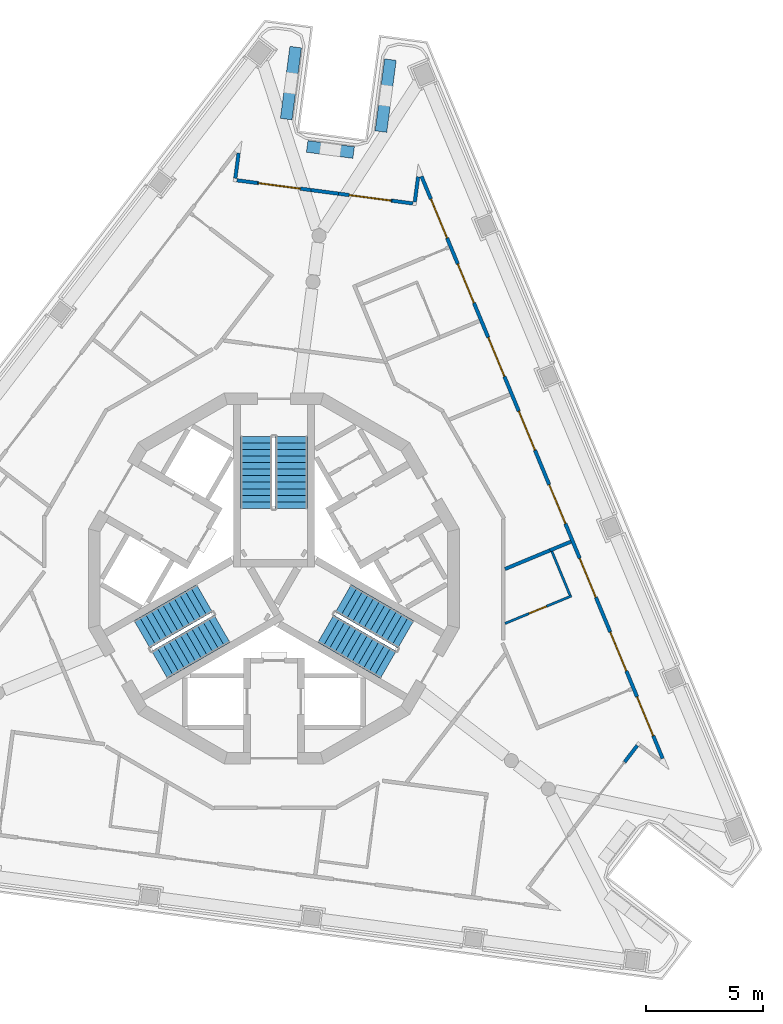
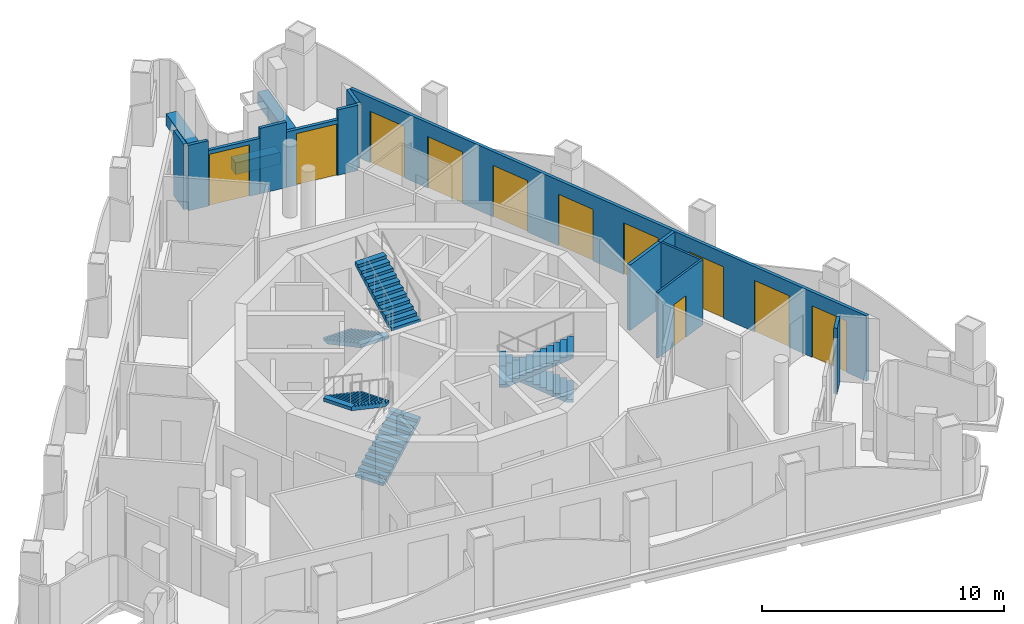
# One storey, part 6 of 12: 16 walls, 11 doors, 6 stair flights, 11 openings, 3 elements without a shape of their own.
"""IFC4 building model written with IfcOpenShell, lengths in metres."""

from ifc_helpers import new_model, si_unit, direction, frame, frame_2d, origin, place, context, subcontext, project, spatial, polyline, rectangle, outline, extrude, material, layer, layer_set, type_object, element, fill, aggregate, save


model = new_model("IFC4")

# Units and contexts
model_context = context("Model", 3, precision=1e-05, world=origin(), true_north=direction((0.0, 1.0)))
body_context = subcontext(model_context, "Body", "Model", "MODEL_VIEW")
ifc_project = project(units=[si_unit("LENGTHUNIT", "METRE"), si_unit("AREAUNIT", "SQUARE_METRE"), si_unit("VOLUMEUNIT", "CUBIC_METRE"), si_unit("PLANEANGLEUNIT", "RADIAN"), si_unit("MASSUNIT", "GRAM", prefix="KILO")], contexts=[model_context])

# Site, building, storey
site_placement = place(None, origin())
site = spatial("IfcSite", under=ifc_project, at=site_placement, CompositionType="ELEMENT")
building_placement = place(site_placement, origin())
building = spatial("IfcBuilding", under=site, at=building_placement, Name="Trine Commons Tower", CompositionType="ELEMENT")
storey_placement = place(building_placement, frame((0.0, 0.0, 293.39990234375)))
storey = spatial("IfcBuildingStorey", under=building, at=storey_placement, Name="L77", CompositionType="ELEMENT", Elevation=293.39990234375)

# Walls
ifc_material_1 = material(Name="Aluminium-framed insulated wall panel", Category="aluminium")
ifc_layer_1 = layer(ifc_material_1, 0.14990234375)
ifc_layer_set_1 = layer_set([ifc_layer_1], Name="Aluminium-framed insulated wall panel")
wall_type_1 = type_object("IfcWallType", Name="Glazed frame wall 150, EI 60", PredefinedType="SOLIDWALL", material=ifc_layer_set_1)
wall_1_placement = place(storey_placement, frame((78.51220703125, 80.81005859375, 0.0), z_axis=(0.0, 0.0, 1.0), x_axis=(-0.130510858064, -0.991446880033, 0.0)))
element("IfcWall", 1, at=wall_1_placement, inside=storey, type_object=wall_type_1, Name="Glazed frame wall R2", PredefinedType="SOLIDWALL", context=body_context, shape_type="SweptSolid", body=[
    extrude(outline(polyline([(0.1494140625, 0.074951171875), (0.1494140625, -0.074951171875), (1.235107421875, -0.074951171875), (1.235107421875, 0.074951171875), (0.1494140625, 0.074951171875)])), origin(), (0.0, 0.0, 1.0), 3.300048828125),
])
wall_2_placement = place(storey_placement, frame((78.306396484375, 79.515869140625, 0.0), z_axis=(0.0, 0.0, 1.0), x_axis=(0.991437672373, -0.130580786489, 0.0)))
element("IfcWall", 2, at=wall_2_placement, inside=storey, type_object=wall_type_1, Name="Glazed frame wall P1.1", PredefinedType="SOLIDWALL", context=body_context, shape_type="SweptSolid", body=[
    extrude(outline(polyline([(0.110107421875, -0.074951171875), (1.0, -0.074951171875), (1.0, 0.074951171875), (0.110107421875, 0.074951171875), (0.110107421875, -0.074951171875)])), origin(), (0.0, 0.0, 1.0), 3.300048828125),
])

# Wall, opening, door
wall_3_placement = place(storey_placement, frame((79.298095703125, 79.38525390625, 0.0), z_axis=(0.0, 0.0, 1.0), x_axis=(0.991435223914, -0.130599375121, 0.0)))
wall_3 = element("IfcWall", 3, at=wall_3_placement, inside=storey, type_object=wall_type_1, Name="Glazed frame wall P1.2", PredefinedType="SOLIDWALL", context=body_context, shape_type="SweptSolid", body=[
    extrude(outline(polyline([(0.0, -0.074951171875), (2.310791015625, -0.074951171875), (2.310791015625, 0.074951171875), (0.0, 0.074951171875), (0.0, -0.074951171875)])), origin(), (0.0, 0.0, 1.0), 2.800048828125),
])
opening_1_placement = place(wall_3_placement, frame((0.050048828125, 0.0, 0.0)))
opening_1 = element("IfcOpeningElement", 4, at=opening_1_placement, cuts=wall_3, Name="Opening BD-8P1-01", PredefinedType="OPENING", context=body_context, shape_type="SweptSolid", body=[
    extrude(rectangle(XDim=1.800048828125, YDim=2.60009765625, at=frame_2d((0.89990234375, 1.300048828125))), frame((0.0, 0.0849609375, 0.0), z_axis=(0.0, -1.0, 0.0), x_axis=(1.0, 0.0, 0.0)), (0.0, 0.0, 1.0), 0.169921875),
])
ifc_material_2 = material(Name="Anodised aluminium frame with double glazing", Category="aluminium")
door_type_1 = type_object("IfcDoorType", Name="Sliding loggia door 1800x2600", OperationType="SLIDING_TO_LEFT", PredefinedType="DOOR", material=ifc_material_2)
door_1_placement = place(opening_1_placement, origin())
door_1 = element("IfcDoor", 5, at=door_1_placement, inside=storey, type_object=door_type_1, Name="Loggia door P1 1", OperationType="SLIDING_TO_LEFT", OverallHeight=2.60009765625, OverallWidth=1.800048828125, PredefinedType="DOOR", context=body_context, shape_type="SweptSolid", body=[
    extrude(rectangle(XDim=1.800048828125, YDim=2.60009765625, at=frame_2d((0.89990234375, 1.300048828125))), frame((0.0, 0.02490234375, 0.0), z_axis=(0.0, -1.0, 0.0), x_axis=(1.0, 0.0, 0.0)), (0.0, 0.0, 1.0), 0.050048828125),
])
fill(opening_1, door_1)

# Wall
wall_4_placement = place(storey_placement, frame((81.5888671875, 79.08349609375, 0.0), z_axis=(0.0, 0.0, 1.0), x_axis=(0.991447243185, -0.130508099291, 0.0)))
element("IfcWall", 6, at=wall_4_placement, inside=storey, type_object=wall_type_1, Name="Glazed frame wall P1.3", PredefinedType="SOLIDWALL", context=body_context, shape_type="SweptSolid", body=[
    extrude(outline(polyline([(0.0, -0.074951171875), (1.1787109375, -0.074951171875), (1.1787109375, 0.074951171875), (0.0, 0.074951171875), (0.0, -0.074951171875)])), origin(), (0.0, 0.0, 1.0), 3.300048828125),
])

# Wall, opening, door
wall_5_placement = place(storey_placement, frame((82.75732421875, 78.9296875, 0.0), z_axis=(0.0, 0.0, 1.0), x_axis=(0.991450699069, -0.130481842855, 0.0)))
wall_5 = element("IfcWall", 7, at=wall_5_placement, inside=storey, type_object=wall_type_1, Name="Glazed frame wall P1.4", PredefinedType="SOLIDWALL", context=body_context, shape_type="SweptSolid", body=[
    extrude(outline(polyline([(0.0, -0.074951171875), (2.310791015625, -0.074951171875), (2.310791015625, 0.074951171875), (0.0, 0.074951171875), (0.0, -0.074951171875)])), origin(), (0.0, 0.0, 1.0), 2.800048828125),
])
opening_2_placement = place(wall_5_placement, frame((0.460693359375, 0.0, 0.0)))
opening_2 = element("IfcOpeningElement", 8, at=opening_2_placement, cuts=wall_5, Name="Opening BD-8P1-02", PredefinedType="OPENING", context=body_context, shape_type="SweptSolid", body=[
    extrude(rectangle(XDim=1.800048828125, YDim=2.60009765625, at=frame_2d((0.89990234375, 1.300048828125))), frame((0.0, 0.0849609375, 0.0), z_axis=(0.0, -1.0, 0.0), x_axis=(1.0, 0.0, 0.0)), (0.0, 0.0, 1.0), 0.169921875),
])
door_2_placement = place(opening_2_placement, origin())
door_2 = element("IfcDoor", 9, at=door_2_placement, inside=storey, type_object=door_type_1, Name="Loggia door P1 2", OperationType="SLIDING_TO_LEFT", OverallHeight=2.60009765625, OverallWidth=1.800048828125, PredefinedType="DOOR", context=body_context, shape_type="SweptSolid", body=[
    extrude(rectangle(XDim=1.800048828125, YDim=2.60009765625, at=frame_2d((0.89990234375, 1.300048828125))), frame((0.0, 0.02490234375, 0.0), z_axis=(0.0, -1.0, 0.0), x_axis=(1.0, 0.0, 0.0)), (0.0, 0.0, 1.0), 0.050048828125),
])
fill(opening_2, door_2)

# Walls
wall_6_placement = place(storey_placement, frame((85.04833984375, 78.628173828125, 0.0), z_axis=(0.0, 0.0, 1.0), x_axis=(0.991465094935, -0.130372410907, 0.0)))
element("IfcWall", 10, at=wall_6_placement, inside=storey, type_object=wall_type_1, Name="Glazed frame wall P1.5", PredefinedType="SOLIDWALL", context=body_context, shape_type="SweptSolid", body=[
    extrude(outline(polyline([(0.889892578125, 0.074951171875), (0.0, 0.074951171875), (0.0, -0.074951171875), (0.889892578125, -0.074951171875), (0.889892578125, 0.074951171875)])), origin(), (0.0, 0.0, 1.0), 3.300048828125),
])
wall_7_placement = place(storey_placement, frame((86.00048828125, 78.467529296875, 0.0), z_axis=(0.0, 0.0, 1.0), x_axis=(0.130510858064, 0.991446880033, 0.0)))
element("IfcWall", 11, at=wall_7_placement, inside=storey, type_object=wall_type_1, Name="Glazed frame wall R4", PredefinedType="SOLIDWALL", context=body_context, shape_type="SweptSolid", body=[
    extrude(outline(polyline([(0.110107421875, 0.074951171875), (0.110107421875, -0.074951171875), (1.19580078125, -0.074951171875), (1.19580078125, 0.074951171875), (0.110107421875, 0.074951171875)])), origin(), (0.0, 0.0, 1.0), 3.300048828125),
])

# Wall, openings, doors
wall_8_placement = place(storey_placement, frame((86.2431640625, 79.809814453125, 0.0), z_axis=(0.0, 0.0, 1.0), x_axis=(0.382683868189, -0.923879351987, 0.0)))
wall_8 = element("IfcWall", 12, at=wall_8_placement, inside=storey, type_object=wall_type_1, Name="Glazed frame wall F2", PredefinedType="SOLIDWALL", context=body_context, shape_type="SweptSolid", body=[
    extrude(outline(polyline([(0.1494140625, 0.074951171875), (0.1494140625, -0.074951171875), (27.056884765625, -0.074951171875), (27.056884765625, 0.074951171875), (0.1494140625, 0.074951171875)])), origin(), (0.0, 0.0, 1.0), 3.300048828125),
])
opening_3_placement = place(wall_8_placement, frame((1.200439453125, 0.0, 0.0)))
opening_3 = element("IfcOpeningElement", 13, at=opening_3_placement, cuts=wall_8, Name="Opening BD-8F2-01", PredefinedType="OPENING", context=body_context, shape_type="SweptSolid", body=[
    extrude(rectangle(XDim=1.800048828125, YDim=2.60009765625, at=frame_2d((0.89990234375, 1.300048828125))), frame((0.0, 0.0849609375, 0.0), z_axis=(0.0, -1.0, 0.0), x_axis=(1.0, 0.0, 0.0)), (0.0, 0.0, 1.0), 0.169921875),
])
opening_4_placement = place(wall_8_placement, frame((4.201171875, 0.0, 0.0)))
opening_4 = element("IfcOpeningElement", 14, at=opening_4_placement, cuts=wall_8, Name="Opening BD-8F2-02", PredefinedType="OPENING", context=body_context, shape_type="SweptSolid", body=[
    extrude(rectangle(XDim=1.800048828125, YDim=2.60009765625, at=frame_2d((0.89990234375, 1.300048828125))), frame((0.0, 0.0849609375, 0.0), z_axis=(0.0, -1.0, 0.0), x_axis=(1.0, 0.0, 0.0)), (0.0, 0.0, 1.0), 0.169921875),
])
opening_5_placement = place(wall_8_placement, frame((7.60205078125, 0.0, 0.0)))
opening_5 = element("IfcOpeningElement", 15, at=opening_5_placement, cuts=wall_8, Name="Opening BD-8F2-03", PredefinedType="OPENING", context=body_context, shape_type="SweptSolid", body=[
    extrude(rectangle(XDim=1.800048828125, YDim=2.60009765625, at=frame_2d((0.89990234375, 1.300048828125))), frame((0.0, 0.0849609375, 0.0), z_axis=(0.0, -1.0, 0.0), x_axis=(1.0, 0.0, 0.0)), (0.0, 0.0, 1.0), 0.169921875),
])
opening_6_placement = place(wall_8_placement, frame((11.002685546875, 0.0, 0.0)))
opening_6 = element("IfcOpeningElement", 16, at=opening_6_placement, cuts=wall_8, Name="Opening BD-8F2-04", PredefinedType="OPENING", context=body_context, shape_type="SweptSolid", body=[
    extrude(rectangle(XDim=1.800048828125, YDim=2.60009765625, at=frame_2d((0.89990234375, 1.300048828125))), frame((0.0, 0.0849609375, 0.0), z_axis=(0.0, -1.0, 0.0), x_axis=(1.0, 0.0, 0.0)), (0.0, 0.0, 1.0), 0.169921875),
])
opening_7_placement = place(wall_8_placement, frame((14.403564453125, 0.0, 0.0)))
opening_7 = element("IfcOpeningElement", 17, at=opening_7_placement, cuts=wall_8, Name="Opening BD-8F2-05", PredefinedType="OPENING", context=body_context, shape_type="SweptSolid", body=[
    extrude(rectangle(XDim=1.800048828125, YDim=2.60009765625, at=frame_2d((0.89990234375, 1.300048828125))), frame((0.0, 0.0849609375, 0.0), z_axis=(0.0, -1.0, 0.0), x_axis=(1.0, 0.0, 0.0)), (0.0, 0.0, 1.0), 0.169921875),
])
opening_8_placement = place(wall_8_placement, frame((17.804443359375, 0.0, 0.0)))
opening_8 = element("IfcOpeningElement", 18, at=opening_8_placement, cuts=wall_8, Name="Opening BD-8F2-06", PredefinedType="OPENING", context=body_context, shape_type="SweptSolid", body=[
    extrude(rectangle(XDim=1.800048828125, YDim=2.60009765625, at=frame_2d((0.89990234375, 1.300048828125))), frame((0.0, 0.0849609375, 0.0), z_axis=(0.0, -1.0, 0.0), x_axis=(1.0, 0.0, 0.0)), (0.0, 0.0, 1.0), 0.169921875),
])
opening_9_placement = place(wall_8_placement, frame((21.205078125, 0.0, 0.0)))
opening_9 = element("IfcOpeningElement", 19, at=opening_9_placement, cuts=wall_8, Name="Opening BD-8F2-07", PredefinedType="OPENING", context=body_context, shape_type="SweptSolid", body=[
    extrude(rectangle(XDim=1.800048828125, YDim=2.60009765625, at=frame_2d((0.89990234375, 1.300048828125))), frame((0.0, 0.0849609375, 0.0), z_axis=(0.0, -1.0, 0.0), x_axis=(1.0, 0.0, 0.0)), (0.0, 0.0, 1.0), 0.169921875),
])
opening_10_placement = place(wall_8_placement, frame((24.2060546875, 0.0, 0.0)))
opening_10 = element("IfcOpeningElement", 20, at=opening_10_placement, cuts=wall_8, Name="Opening BD-8F2-08", PredefinedType="OPENING", context=body_context, shape_type="SweptSolid", body=[
    extrude(rectangle(XDim=1.800048828125, YDim=2.60009765625, at=frame_2d((0.89990234375, 1.300048828125))), frame((0.0, 0.0849609375, 0.0), z_axis=(0.0, -1.0, 0.0), x_axis=(1.0, 0.0, 0.0)), (0.0, 0.0, 1.0), 0.169921875),
])
door_3_placement = place(opening_3_placement, origin())
door_3 = element("IfcDoor", 21, at=door_3_placement, inside=storey, type_object=door_type_1, Name="Loggia door F2 1", OperationType="SLIDING_TO_LEFT", OverallHeight=2.60009765625, OverallWidth=1.800048828125, PredefinedType="DOOR", context=body_context, shape_type="SweptSolid", body=[
    extrude(rectangle(XDim=1.800048828125, YDim=2.60009765625, at=frame_2d((0.89990234375, 1.300048828125))), frame((0.0, 0.02490234375, 0.0), z_axis=(0.0, -1.0, 0.0), x_axis=(1.0, 0.0, 0.0)), (0.0, 0.0, 1.0), 0.050048828125),
])
fill(opening_3, door_3)
door_4_placement = place(opening_4_placement, origin())
door_4 = element("IfcDoor", 22, at=door_4_placement, inside=storey, type_object=door_type_1, Name="Loggia door F2 2", OperationType="SLIDING_TO_LEFT", OverallHeight=2.60009765625, OverallWidth=1.800048828125, PredefinedType="DOOR", context=body_context, shape_type="SweptSolid", body=[
    extrude(rectangle(XDim=1.800048828125, YDim=2.60009765625, at=frame_2d((0.89990234375, 1.300048828125))), frame((0.0, 0.02490234375, 0.0), z_axis=(0.0, -1.0, 0.0), x_axis=(1.0, 0.0, 0.0)), (0.0, 0.0, 1.0), 0.050048828125),
])
fill(opening_4, door_4)
door_5_placement = place(opening_5_placement, origin())
door_5 = element("IfcDoor", 23, at=door_5_placement, inside=storey, type_object=door_type_1, Name="Loggia door F2 3", OperationType="SLIDING_TO_LEFT", OverallHeight=2.60009765625, OverallWidth=1.800048828125, PredefinedType="DOOR", context=body_context, shape_type="SweptSolid", body=[
    extrude(rectangle(XDim=1.800048828125, YDim=2.60009765625, at=frame_2d((0.89990234375, 1.300048828125))), frame((0.0, 0.02490234375, 0.0), z_axis=(0.0, -1.0, 0.0), x_axis=(1.0, 0.0, 0.0)), (0.0, 0.0, 1.0), 0.050048828125),
])
fill(opening_5, door_5)
door_6_placement = place(opening_6_placement, origin())
door_6 = element("IfcDoor", 24, at=door_6_placement, inside=storey, type_object=door_type_1, Name="Loggia door F2 4", OperationType="SLIDING_TO_LEFT", OverallHeight=2.60009765625, OverallWidth=1.800048828125, PredefinedType="DOOR", context=body_context, shape_type="SweptSolid", body=[
    extrude(rectangle(XDim=1.800048828125, YDim=2.60009765625, at=frame_2d((0.89990234375, 1.300048828125))), frame((0.0, 0.02490234375, 0.0), z_axis=(0.0, -1.0, 0.0), x_axis=(1.0, 0.0, 0.0)), (0.0, 0.0, 1.0), 0.050048828125),
])
fill(opening_6, door_6)
door_7_placement = place(opening_7_placement, origin())
door_7 = element("IfcDoor", 25, at=door_7_placement, inside=storey, type_object=door_type_1, Name="Loggia door F2 5", OperationType="SLIDING_TO_LEFT", OverallHeight=2.60009765625, OverallWidth=1.800048828125, PredefinedType="DOOR", context=body_context, shape_type="SweptSolid", body=[
    extrude(rectangle(XDim=1.800048828125, YDim=2.60009765625, at=frame_2d((0.89990234375, 1.300048828125))), frame((0.0, 0.02490234375, 0.0), z_axis=(0.0, -1.0, 0.0), x_axis=(1.0, 0.0, 0.0)), (0.0, 0.0, 1.0), 0.050048828125),
])
fill(opening_7, door_7)
door_8_placement = place(opening_8_placement, origin())
door_8 = element("IfcDoor", 26, at=door_8_placement, inside=storey, type_object=door_type_1, Name="Loggia door F2 6", OperationType="SLIDING_TO_LEFT", OverallHeight=2.60009765625, OverallWidth=1.800048828125, PredefinedType="DOOR", context=body_context, shape_type="SweptSolid", body=[
    extrude(rectangle(XDim=1.800048828125, YDim=2.60009765625, at=frame_2d((0.89990234375, 1.300048828125))), frame((0.0, 0.02490234375, 0.0), z_axis=(0.0, -1.0, 0.0), x_axis=(1.0, 0.0, 0.0)), (0.0, 0.0, 1.0), 0.050048828125),
])
fill(opening_8, door_8)
door_9_placement = place(opening_9_placement, origin())
door_9 = element("IfcDoor", 27, at=door_9_placement, inside=storey, type_object=door_type_1, Name="Loggia door F2 7", OperationType="SLIDING_TO_LEFT", OverallHeight=2.60009765625, OverallWidth=1.800048828125, PredefinedType="DOOR", context=body_context, shape_type="SweptSolid", body=[
    extrude(rectangle(XDim=1.800048828125, YDim=2.60009765625, at=frame_2d((0.89990234375, 1.300048828125))), frame((0.0, 0.02490234375, 0.0), z_axis=(0.0, -1.0, 0.0), x_axis=(1.0, 0.0, 0.0)), (0.0, 0.0, 1.0), 0.050048828125),
])
fill(opening_9, door_9)
door_10_placement = place(opening_10_placement, origin())
door_10 = element("IfcDoor", 28, at=door_10_placement, inside=storey, type_object=door_type_1, Name="Loggia door F2 8", OperationType="SLIDING_TO_LEFT", OverallHeight=2.60009765625, OverallWidth=1.800048828125, PredefinedType="DOOR", context=body_context, shape_type="SweptSolid", body=[
    extrude(rectangle(XDim=1.800048828125, YDim=2.60009765625, at=frame_2d((0.89990234375, 1.300048828125))), frame((0.0, 0.02490234375, 0.0), z_axis=(0.0, -1.0, 0.0), x_axis=(1.0, 0.0, 0.0)), (0.0, 0.0, 1.0), 0.050048828125),
])
fill(opening_10, door_10)

# Walls
wall_9_placement = place(storey_placement, frame((95.582763671875, 55.458740234375, 0.0), z_axis=(0.0, 0.0, 1.0), x_axis=(-0.60863653794, -0.793449156962, 0.0)))
element("IfcWall", 29, at=wall_9_placement, inside=storey, type_object=wall_type_1, Name="Glazed frame wall P2.1", PredefinedType="SOLIDWALL", context=body_context, shape_type="SweptSolid", body=[
    extrude(outline(polyline([(0.110107421875, -0.074951171875), (1.0, -0.074951171875), (1.0, 0.074951171875), (0.110107421875, 0.074951171875), (0.110107421875, -0.074951171875)])), origin(), (0.0, 0.0, 1.0), 3.300048828125),
])
ifc_material_3 = material(Name="Planter trough, precast concrete C40/50", Category="concrete")
ifc_layer_2 = layer(ifc_material_3, 0.5)
ifc_layer_set_2 = layer_set([ifc_layer_2], Name="Planter trough, precast concrete C40/50")
wall_type_2 = type_object("IfcWallType", Name="Planter trough 500x600", PredefinedType="PARAPET", material=ifc_layer_set_2)
wall_10_placement = place(storey_placement, frame((80.92919921875, 85.18701171875, 0.0), z_axis=(0.0, 0.0, 1.0), x_axis=(-0.130487105691, -0.991450006429, 0.0)))
element("IfcWall", 30, at=wall_10_placement, inside=storey, type_object=wall_type_2, Name="Planter 4", PredefinedType="PARAPET", context=body_context, shape_type="SweptSolid", body=[
    extrude(rectangle(XDim=3.100341796875, YDim=0.5, at=frame_2d((1.55029296875, 0.0))), origin(), (0.0, 0.0, 1.0), 0.60009765625),
])
wall_11_placement = place(storey_placement, frame((81.419921875, 80.94677734375, 0.0), z_axis=(0.0, 0.0, 1.0), x_axis=(0.991433509034, -0.130612392842, 0.0)))
element("IfcWall", 31, at=wall_11_placement, inside=storey, type_object=wall_type_2, Name="Planter 5", PredefinedType="PARAPET", context=body_context, shape_type="SweptSolid", body=[
    extrude(rectangle(XDim=2.0, YDim=0.5, at=frame_2d((1.0, 0.0))), origin(), (0.0, 0.0, 1.0), 0.60009765625),
])
wall_12_placement = place(storey_placement, frame((84.569580078125, 81.5810546875, 0.0), z_axis=(0.0, 0.0, 1.0), x_axis=(0.130507484591, 0.9914473241, 0.0)))
element("IfcWall", 32, at=wall_12_placement, inside=storey, type_object=wall_type_2, Name="Planter 6", PredefinedType="PARAPET", context=body_context, shape_type="SweptSolid", body=[
    extrude(rectangle(XDim=3.099853515625, YDim=0.5, at=frame_2d((1.5498046875, 0.0))), origin(), (0.0, 0.0, 1.0), 0.60009765625),
])
ifc_material_4 = material(Name="Gypsum plasterboard on steel stud", Category="steel")
ifc_layer_3 = layer(ifc_material_4, 0.14990234375)
ifc_layer_set_3 = layer_set([ifc_layer_3], Name="Gypsum plasterboard on steel stud")
wall_type_3 = type_object("IfcWallType", Name="Unit and corridor wall 150 mm, EI 60", PredefinedType="PARTITIONING", material=ifc_layer_set_3)
wall_13_placement = place(storey_placement, frame((89.865234375, 62.90478515625, 0.0), z_axis=(0.0, 0.0, 1.0), x_axis=(0.923699797902, 0.383117062209, 0.0)))
element("IfcWall", 33, at=wall_13_placement, inside=storey, type_object=wall_type_3, Name="Partition 055", PredefinedType="PARTITIONING", context=body_context, shape_type="SweptSolid", body=[
    extrude(rectangle(XDim=2.14111328125, YDim=0.14990234375, at=frame_2d((1.070556640625, 0.0))), origin(), (0.0, 0.0, 1.0), 3.300048828125),
])
wall_14_placement = place(storey_placement, frame((91.789794921875, 63.702880859375, 0.0), z_axis=(0.0, 0.0, 1.0), x_axis=(0.923958226905, 0.382493392015, 0.0)))
element("IfcWall", 34, at=wall_14_placement, inside=storey, type_object=wall_type_3, Name="Partition 057", PredefinedType="PARTITIONING", context=body_context, shape_type="SweptSolid", body=[
    extrude(rectangle(XDim=0.96435546875, YDim=0.14990234375, at=frame_2d((0.482177734375, 0.0))), origin(), (0.0, 0.0, 1.0), 3.300048828125),
])

# Wall, opening, door
ifc_layer_4 = layer(ifc_material_4, 0.10009765625)
ifc_layer_set_4 = layer_set([ifc_layer_4], Name="Gypsum plasterboard on steel stud")
wall_type_4 = type_object("IfcWallType", Name="Unit partition 100 mm, no rating", PredefinedType="PARTITIONING", material=ifc_layer_set_4)
wall_15_placement = place(storey_placement, frame((89.865234375, 60.57763671875, 0.0), z_axis=(0.0, 0.0, 1.0), x_axis=(0.923828319661, 0.38280704773, 0.0)))
wall_15 = element("IfcWall", 35, at=wall_15_placement, inside=storey, type_object=wall_type_4, Name="Partition 054", PredefinedType="PARTITIONING", context=body_context, shape_type="SweptSolid", body=[
    extrude(rectangle(XDim=3.078369140625, YDim=0.10009765625, at=frame_2d((1.5390625, 0.0))), origin(), (0.0, 0.0, 1.0), 3.300048828125),
])
opening_11_placement = place(wall_15_placement, frame((1.1142578125, 0.0, 0.0)))
opening_11 = element("IfcOpeningElement", 36, at=opening_11_placement, cuts=wall_15, Name="Opening D-8C17", PredefinedType="OPENING", context=body_context, shape_type="SweptSolid", body=[
    extrude(rectangle(XDim=0.800048828125, YDim=2.10009765625, at=frame_2d((0.39990234375, 1.050048828125))), frame((0.0, 0.06005859375, 0.0), z_axis=(0.0, -1.0, 0.0), x_axis=(1.0, 0.0, 0.0)), (0.0, 0.0, 1.0), 0.1201171875),
])
ifc_material_5 = material(Name="Painted timber", Category="wood")
door_type_2 = type_object("IfcDoorType", Name="Internal door 800 x 2100, NOT RATED", OperationType="NOTDEFINED", PredefinedType="DOOR", material=ifc_material_5)
door_11_placement = place(opening_11_placement, frame((0.800048828125, 0.0, 0.0), z_axis=(0.0, 0.0, 1.0), x_axis=(-1.0, 0.0, 0.0)))
door_11 = element("IfcDoor", 37, at=door_11_placement, inside=storey, type_object=door_type_2, Name="Door D-8C17", OperationType="SINGLE_SWING_RIGHT", OverallHeight=2.10009765625, OverallWidth=0.800048828125, PredefinedType="DOOR", context=body_context, shape_type="SweptSolid", body=[
    extrude(rectangle(XDim=0.800048828125, YDim=2.10009765625, at=frame_2d((0.39990234375, 1.050048828125))), frame((0.0, 0.02490234375, 0.0), z_axis=(0.0, -1.0, 0.0), x_axis=(1.0, 0.0, 0.0)), (0.0, 0.0, 1.0), 0.050048828125),
])
fill(opening_11, door_11)

# Wall
wall_16_placement = place(storey_placement, frame((91.86865234375, 63.65380859375, 0.0), z_axis=(0.0, 0.0, 1.0), x_axis=(0.382816773578, -0.923824289498, 0.0)))
element("IfcWall", 38, at=wall_16_placement, inside=storey, type_object=wall_type_4, Name="Partition 058", PredefinedType="PARTITIONING", context=body_context, shape_type="SweptSolid", body=[
    extrude(rectangle(XDim=2.02490234375, YDim=0.10009765625, at=frame_2d((1.012451171875, 0.0))), origin(), (0.0, 0.0, 1.0), 3.300048828125),
])

# Stair, stair flights
ifc_material_6 = material(Name="Concrete C50/60", Category="concrete")
stair_type = type_object("IfcStairType", Name="Exit stair, dog-leg, 24 risers of 150 mm", PredefinedType="HALF_TURN_STAIR", material=ifc_material_6)
stair_1_placement = place(storey_placement, origin())
stair_1 = element("IfcStair", 39, at=stair_1_placement, inside=storey, type_object=stair_type, Name="L77 Exit stair ST1D", PredefinedType="HALF_TURN_STAIR")
stair_flight_type = type_object("IfcStairFlightType", Name="Stair flight, 1350 wide, 12 risers of 150 mm", PredefinedType="STRAIGHT", material=ifc_material_6)
stair_flight_1_placement = place(storey_placement, frame((79.25, 68.570556640625, 0.0), z_axis=(0.0, 0.0, 1.0), x_axis=(0.0, -1.0, 0.0)))
stair_flight_1 = element("IfcStairFlight", 40, at=stair_flight_1_placement, type_object=stair_flight_type, Name="ST1D flight 1", NumberOfRisers=12, NumberOfTreads=11, PredefinedType="STRAIGHT", RiserHeight=0.15, TreadLength=0.28, context=body_context, shape_type="SweptSolid", body=[
    extrude(outline(polyline([(0.0, 0.0), (0.0, 0.14990234375), (0.280029296875, 0.14990234375), (0.280029296875, 0.300048828125), (0.56005859375, 0.300048828125), (0.56005859375, 0.449951171875), (0.840087890625, 0.449951171875), (0.840087890625, 0.60009765625), (1.1201171875, 0.60009765625), (1.1201171875, 0.75), (1.39990234375, 0.75), (1.39990234375, 0.89990234375), (1.679931640625, 0.89990234375), (1.679931640625, 1.050048828125), (1.9599609375, 1.050048828125), (1.9599609375, 1.199951171875), (2.239990234375, 1.199951171875), (2.239990234375, 1.35009765625), (2.52001953125, 1.35009765625), (2.52001953125, 1.5), (2.800048828125, 1.5), (2.800048828125, 1.64990234375), (3.080078125, 1.64990234375), (3.080078125, 1.800048828125), (3.080078125, 1.47998046875), (0.3173828125, 0.0), (0.0, 0.0)])), frame((0.0, 0.675048828125, 0.0), z_axis=(0.0, -1.0, 0.0), x_axis=(1.0, 0.0, 0.0)), (0.0, 0.0, 1.0), 1.35009765625),
])
stair_flight_2_placement = place(storey_placement, frame((80.75, 65.490478515625, 1.800048828125), z_axis=(0.0, 0.0, 1.0), x_axis=(0.0, 1.0, 0.0)))
stair_flight_2 = element("IfcStairFlight", 41, at=stair_flight_2_placement, type_object=stair_flight_type, Name="ST1D flight 2", NumberOfRisers=12, NumberOfTreads=11, PredefinedType="STRAIGHT", RiserHeight=0.15, TreadLength=0.28, context=body_context, shape_type="SweptSolid", body=[
    extrude(outline(polyline([(0.0, 0.0), (0.0, 0.14990234375), (0.280029296875, 0.14990234375), (0.280029296875, 0.300048828125), (0.56005859375, 0.300048828125), (0.56005859375, 0.449951171875), (0.840087890625, 0.449951171875), (0.840087890625, 0.60009765625), (1.1201171875, 0.60009765625), (1.1201171875, 0.75), (1.39990234375, 0.75), (1.39990234375, 0.89990234375), (1.679931640625, 0.89990234375), (1.679931640625, 1.050048828125), (1.9599609375, 1.050048828125), (1.9599609375, 1.199951171875), (2.239990234375, 1.199951171875), (2.239990234375, 1.35009765625), (2.52001953125, 1.35009765625), (2.52001953125, 1.5), (2.800048828125, 1.5), (2.800048828125, 1.64990234375), (3.080078125, 1.64990234375), (3.080078125, 1.800048828125), (3.080078125, 1.47998046875), (0.3173828125, 0.0), (0.0, 0.0)])), frame((0.0, 0.675048828125, 0.0), z_axis=(0.0, -1.0, 0.0), x_axis=(1.0, 0.0, 0.0)), (0.0, 0.0, 1.0), 1.35009765625),
])
aggregate(stair_1, [stair_flight_1, stair_flight_2])

stair_2_placement = place(storey_placement, origin())
stair_2 = element("IfcStair", 42, at=stair_2_placement, inside=storey, type_object=stair_type, Name="L77 Exit stair ST2D", PredefinedType="HALF_TURN_STAIR")
stair_flight_3_placement = place(storey_placement, frame((75.11767578125, 58.815185546875, 0.0), z_axis=(0.0, 0.0, 1.0), x_axis=(0.866025403784, 0.5, 0.0)))
stair_flight_3 = element("IfcStairFlight", 43, at=stair_flight_3_placement, type_object=stair_flight_type, Name="ST2D flight 1", NumberOfRisers=12, NumberOfTreads=11, PredefinedType="STRAIGHT", RiserHeight=0.15, TreadLength=0.28, context=body_context, shape_type="SweptSolid", body=[
    extrude(outline(polyline([(0.0, 0.0), (0.0, 0.14990234375), (0.280029296875, 0.14990234375), (0.280029296875, 0.300048828125), (0.56005859375, 0.300048828125), (0.56005859375, 0.449951171875), (0.840087890625, 0.449951171875), (0.840087890625, 0.60009765625), (1.1201171875, 0.60009765625), (1.1201171875, 0.75), (1.39990234375, 0.75), (1.39990234375, 0.89990234375), (1.679931640625, 0.89990234375), (1.679931640625, 1.050048828125), (1.9599609375, 1.050048828125), (1.9599609375, 1.199951171875), (2.239990234375, 1.199951171875), (2.239990234375, 1.35009765625), (2.52001953125, 1.35009765625), (2.52001953125, 1.5), (2.800048828125, 1.5), (2.800048828125, 1.64990234375), (3.080078125, 1.64990234375), (3.080078125, 1.800048828125), (3.080078125, 1.47998046875), (0.3173828125, 0.0), (0.0, 0.0)])), frame((0.0, 0.675048828125, 0.0), z_axis=(0.0, -1.0, 0.0), x_axis=(1.0, 0.0, 0.0)), (0.0, 0.0, 1.0), 1.35009765625),
])
stair_flight_4_placement = place(storey_placement, frame((77.03515625, 61.654296875, 1.800048828125), z_axis=(0.0, 0.0, 1.0), x_axis=(-0.866025403784, -0.5, 0.0)))
stair_flight_4 = element("IfcStairFlight", 44, at=stair_flight_4_placement, type_object=stair_flight_type, Name="ST2D flight 2", NumberOfRisers=12, NumberOfTreads=11, PredefinedType="STRAIGHT", RiserHeight=0.15, TreadLength=0.28, context=body_context, shape_type="SweptSolid", body=[
    extrude(outline(polyline([(0.0, 0.0), (0.0, 0.14990234375), (0.280029296875, 0.14990234375), (0.280029296875, 0.300048828125), (0.56005859375, 0.300048828125), (0.56005859375, 0.449951171875), (0.840087890625, 0.449951171875), (0.840087890625, 0.60009765625), (1.1201171875, 0.60009765625), (1.1201171875, 0.75), (1.39990234375, 0.75), (1.39990234375, 0.89990234375), (1.679931640625, 0.89990234375), (1.679931640625, 1.050048828125), (1.9599609375, 1.050048828125), (1.9599609375, 1.199951171875), (2.239990234375, 1.199951171875), (2.239990234375, 1.35009765625), (2.52001953125, 1.35009765625), (2.52001953125, 1.5), (2.800048828125, 1.5), (2.800048828125, 1.64990234375), (3.080078125, 1.64990234375), (3.080078125, 1.800048828125), (3.080078125, 1.47998046875), (0.3173828125, 0.0), (0.0, 0.0)])), frame((0.0, 0.675048828125, 0.0), z_axis=(0.0, -1.0, 0.0), x_axis=(1.0, 0.0, 0.0)), (0.0, 0.0, 1.0), 1.35009765625),
])
aggregate(stair_2, [stair_flight_3, stair_flight_4])

stair_3_placement = place(storey_placement, origin())
stair_3 = element("IfcStair", 45, at=stair_3_placement, inside=storey, type_object=stair_type, Name="L77 Exit stair ST3D", PredefinedType="HALF_TURN_STAIR")
stair_flight_5_placement = place(storey_placement, frame((85.63232421875, 60.1142578125, 0.0), z_axis=(0.0, 0.0, 1.0), x_axis=(-0.866025403784, 0.5, 0.0)))
stair_flight_5 = element("IfcStairFlight", 46, at=stair_flight_5_placement, type_object=stair_flight_type, Name="ST3D flight 1", NumberOfRisers=12, NumberOfTreads=11, PredefinedType="STRAIGHT", RiserHeight=0.15, TreadLength=0.28, context=body_context, shape_type="SweptSolid", body=[
    extrude(outline(polyline([(0.0, 0.0), (0.0, 0.14990234375), (0.280029296875, 0.14990234375), (0.280029296875, 0.300048828125), (0.56005859375, 0.300048828125), (0.56005859375, 0.449951171875), (0.840087890625, 0.449951171875), (0.840087890625, 0.60009765625), (1.1201171875, 0.60009765625), (1.1201171875, 0.75), (1.39990234375, 0.75), (1.39990234375, 0.89990234375), (1.679931640625, 0.89990234375), (1.679931640625, 1.050048828125), (1.9599609375, 1.050048828125), (1.9599609375, 1.199951171875), (2.239990234375, 1.199951171875), (2.239990234375, 1.35009765625), (2.52001953125, 1.35009765625), (2.52001953125, 1.5), (2.800048828125, 1.5), (2.800048828125, 1.64990234375), (3.080078125, 1.64990234375), (3.080078125, 1.800048828125), (3.080078125, 1.47998046875), (0.3173828125, 0.0), (0.0, 0.0)])), frame((0.0, 0.675048828125, 0.0), z_axis=(0.0, -1.0, 0.0), x_axis=(1.0, 0.0, 0.0)), (0.0, 0.0, 1.0), 1.35009765625),
])
stair_flight_6_placement = place(storey_placement, frame((82.21484375, 60.355224609375, 1.800048828125), z_axis=(0.0, 0.0, 1.0), x_axis=(0.866025403784, -0.5, 0.0)))
stair_flight_6 = element("IfcStairFlight", 47, at=stair_flight_6_placement, type_object=stair_flight_type, Name="ST3D flight 2", NumberOfRisers=12, NumberOfTreads=11, PredefinedType="STRAIGHT", RiserHeight=0.15, TreadLength=0.28, context=body_context, shape_type="SweptSolid", body=[
    extrude(outline(polyline([(0.0, 0.0), (0.0, 0.14990234375), (0.280029296875, 0.14990234375), (0.280029296875, 0.300048828125), (0.56005859375, 0.300048828125), (0.56005859375, 0.449951171875), (0.840087890625, 0.449951171875), (0.840087890625, 0.60009765625), (1.1201171875, 0.60009765625), (1.1201171875, 0.75), (1.39990234375, 0.75), (1.39990234375, 0.89990234375), (1.679931640625, 0.89990234375), (1.679931640625, 1.050048828125), (1.9599609375, 1.050048828125), (1.9599609375, 1.199951171875), (2.239990234375, 1.199951171875), (2.239990234375, 1.35009765625), (2.52001953125, 1.35009765625), (2.52001953125, 1.5), (2.800048828125, 1.5), (2.800048828125, 1.64990234375), (3.080078125, 1.64990234375), (3.080078125, 1.800048828125), (3.080078125, 1.47998046875), (0.3173828125, 0.0), (0.0, 0.0)])), frame((0.0, 0.675048828125, 0.0), z_axis=(0.0, -1.0, 0.0), x_axis=(1.0, 0.0, 0.0)), (0.0, 0.0, 1.0), 1.35009765625),
])
aggregate(stair_3, [stair_flight_5, stair_flight_6])

save(model, "model.ifc")
